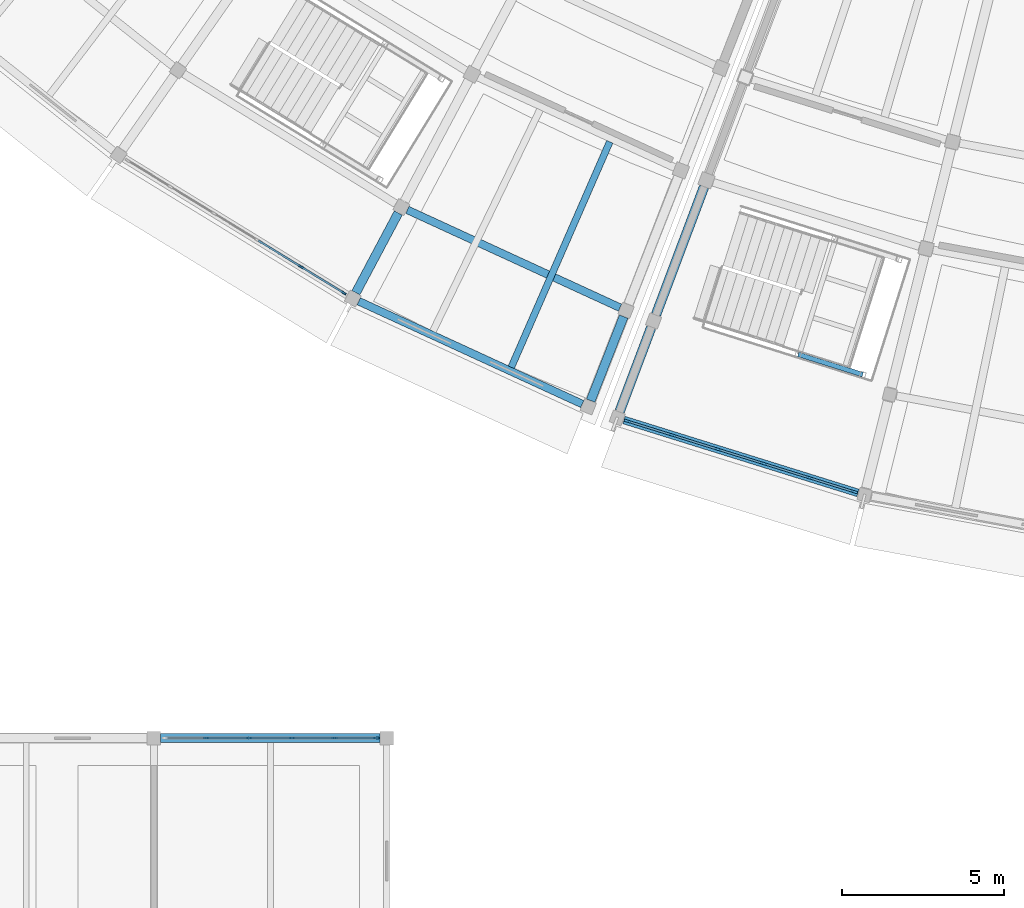
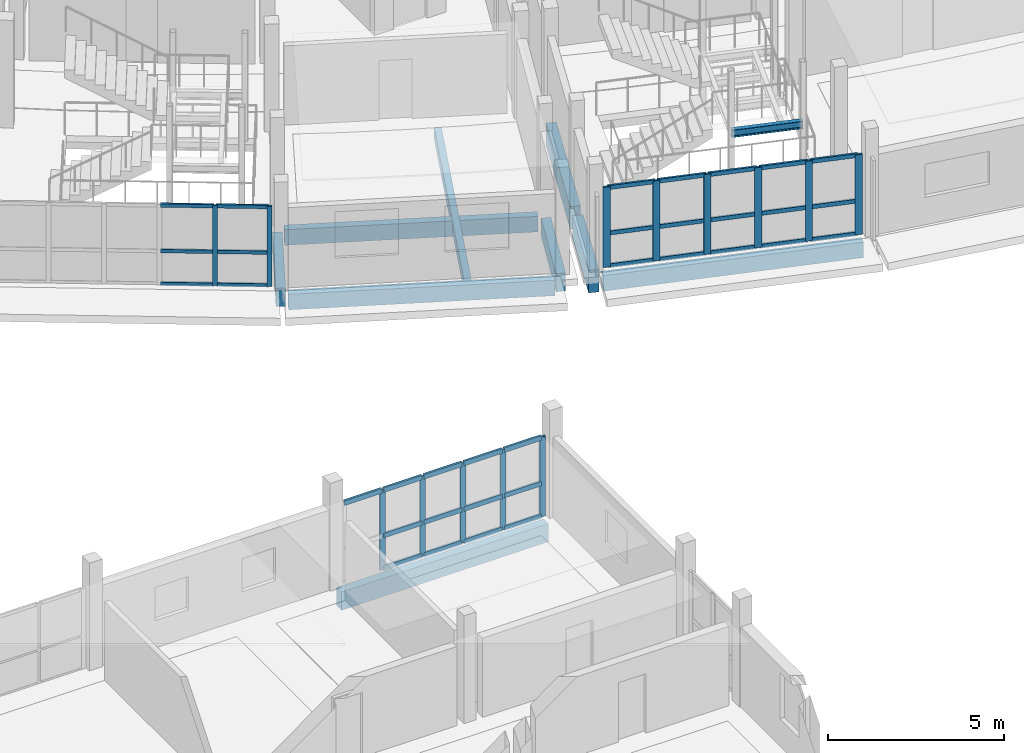
# One storey, part 17 of 77: 47 members, 10 beams, 3 elements without a shape of their own.
"""IFC4 building model written with IfcOpenShell, lengths in metres."""

from ifc_helpers import new_model, si_unit, direction, frame, origin, origin_2d, place, context, subcontext, project, spatial, rectangle, i_section, extrude, material, layer, layer_set, material_profile, profile_set, type_object, element, aggregate, save


model = new_model("IFC4")

# Units and contexts
model_context = context("Model", 3, precision=1e-05, world=origin(), true_north=direction((0.0, 1.0)))
body_context = subcontext(model_context, "Body", "Model", "MODEL_VIEW")
ifc_project = project(units=[si_unit("LENGTHUNIT", "METRE"), si_unit("AREAUNIT", "SQUARE_METRE"), si_unit("VOLUMEUNIT", "CUBIC_METRE"), si_unit("PLANEANGLEUNIT", "RADIAN"), si_unit("MASSUNIT", "GRAM", prefix="KILO")], contexts=[model_context])

# Site, building, storey
site_placement = place(None, origin())
site = spatial("IfcSite", under=ifc_project, at=site_placement, CompositionType="ELEMENT")
building_placement = place(site_placement, origin())
building = spatial("IfcBuilding", under=site, at=building_placement, Name="Caldaven Crescent School", CompositionType="ELEMENT")
storey_placement = place(building_placement, frame((0.0, 0.0, 4.419921875)))
storey = spatial("IfcBuildingStorey", under=building, at=storey_placement, Name="L01", CompositionType="ELEMENT", Elevation=4.419921875)

# Beams
ifc_material_1 = material(Name="Glulam MLE24h (GL28h)", Category="wood")
ifc_material_profile_1 = material_profile(ifc_material_1, rectangle(XDim=0.239990234375, YDim=0.5400390625, at=origin_2d()), Name="MLE 240x540")
ifc_profile_set_1 = profile_set([ifc_material_profile_1], Name="Glulam MLE24h (GL28h)")
beam_type_1 = type_object("IfcBeamType", Name="BM-GL54", PredefinedType="BEAM", material=ifc_profile_set_1)
beam_1_placement = place(storey_placement, frame((57.036865234375, 37.330810546875, -0.489990234375), z_axis=(0.908529395513, -0.417820939505, 0.0), x_axis=(0.417820939505, 0.908529395513, 0.0)))
element("IfcBeam", 1, at=beam_1_placement, inside=storey, type_object=beam_type_1, Name="BMT-V4W-L01-0992", PredefinedType="BEAM", context=body_context, shape_type="SweptSolid", body=[
    extrude(rectangle(XDim=0.239990234375, YDim=0.5400390625, at=origin_2d()), origin(), (0.0, 0.0, 1.0), 7.235107421875),
])
ifc_material_profile_2 = material_profile(ifc_material_1, rectangle(XDim=0.280029296875, YDim=0.6298828125, at=origin_2d()), Name="MLE 280x630")
ifc_profile_set_2 = profile_set([ifc_material_profile_2], Name="Glulam MLE24h (GL28h)")
beam_type_2 = type_object("IfcBeamType", Name="BM-GL63", PredefinedType="BEAM", material=ifc_profile_set_2)
beam_2_placement = place(storey_placement, frame((49.405029296875, 21.0, -0.534912109375), z_axis=(1.0, 0.0, 0.0), x_axis=(0.0, 1.0, 0.0)))
element("IfcBeam", 2, at=beam_2_placement, inside=storey, type_object=beam_type_2, Name="BMX-V4S-L01-0603", PredefinedType="BEAM", context=body_context, shape_type="SweptSolid", body=[
    extrude(rectangle(XDim=0.280029296875, YDim=0.6298828125, at=origin_2d()), origin(), (0.0, 0.0, 1.0), 6.7900390625),
])
for number, where, z_axis, x_axis, name in (
    (3, (56.75439453125, 37.2353515625, -0.534912109375), (-0.469475098942, -0.882945712642, 0.0), (0.882945712642, -0.469475098942, 0.0), "BMR-V4W-L01-0950"),
    (4, (63.7216796875, 34.03125, -0.534912109375), (-0.364818343018, -0.931078716649, 0.0), (0.931078716649, -0.364818343018, 0.0), "BMR-V4W-L01-0954"),
):
    element("IfcBeam", number, at=place(storey_placement, frame(where, z_axis=z_axis, x_axis=x_axis)), inside=storey, type_object=beam_type_2, Name=name, PredefinedType="BEAM", context=body_context, shape_type="SweptSolid", body=[
        extrude(rectangle(XDim=0.280029296875, YDim=0.6298828125, at=origin_2d()), origin(), (0.0, 0.0, 1.0), 2.7900390625),
    ])
ifc_material_profile_3 = material_profile(ifc_material_1, rectangle(XDim=0.300048828125, YDim=0.780029296875, at=origin_2d()), Name="MLE 300x780")
ifc_profile_set_3 = profile_set([ifc_material_profile_3], Name="Glulam MLE24h (GL28h)")
beam_type_3 = type_object("IfcBeamType", Name="BM-GL78", PredefinedType="BEAM", material=ifc_profile_set_3)
beam_3_placement = place(storey_placement, frame((66.20849609375, 38.041259765625, -0.60986328125), z_axis=(-0.351943115043, -0.93602139066, 0.0), x_axis=(0.93602139066, -0.351943115043, 0.0)))
element("IfcBeam", 5, at=beam_3_placement, inside=storey, type_object=beam_type_3, Name="BMR-V5-L01-0998", PredefinedType="BEAM", context=body_context, shape_type="SweptSolid", body=[
    extrude(rectangle(XDim=0.300048828125, YDim=0.780029296875, at=origin_2d()), origin(), (0.0, 0.0, 1.0), 4.2099609375),
])
beam_4_placement = place(storey_placement, frame((64.572021484375, 33.688720703125, -0.60986328125), z_axis=(-0.351956947483, -0.93601618956, 0.0), x_axis=(0.93601618956, -0.351956947483, 0.0)))
element("IfcBeam", 6, at=beam_4_placement, inside=storey, type_object=beam_type_3, Name="BMR-V5-L01-0999", PredefinedType="BEAM", context=body_context, shape_type="SweptSolid", body=[
    extrude(rectangle(XDim=0.300048828125, YDim=0.780029296875, at=origin_2d()), origin(), (0.0, 0.0, 1.0), 2.760009765625),
])
ifc_material_2 = material(Name="Steel ASTM A572 Grade 50", Category="steel")
ifc_material_profile_4 = material_profile(ifc_material_2, i_section(OverallWidth=0.14599609375, OverallDepth=0.258056640625, WebThickness=0.006103515625, FlangeThickness=0.009033203125, FilletRadius=0.011962890625, at=origin_2d()), Name="W250x33")
ifc_profile_set_4 = profile_set([ifc_material_profile_4], Name="Steel ASTM A572 Grade 50")
beam_type_4 = type_object("IfcBeamType", Name="BM-W25", PredefinedType="BEAM", material=ifc_profile_set_4)
beam_5_placement = place(storey_placement, frame((69.12109375, 32.864990234375, 1.546142578125), z_axis=(0.95369733951, -0.300767991334, 0.0), x_axis=(0.300767991334, 0.95369733951, 0.0)))
element("IfcBeam", 7, at=beam_5_placement, inside=storey, type_object=beam_type_4, Name="BM-STSIDE-ST2-L01-SL", PredefinedType="BEAM", context=body_context, shape_type="SweptSolid", body=[
    extrude(i_section(OverallWidth=0.14599609375, OverallDepth=0.258056640625, WebThickness=0.006103515625, FlangeThickness=0.009033203125, FilletRadius=0.011962890625, at=origin_2d()), origin(), (0.0, 0.0, 1.0), 2.090087890625),
])

# Curtain wall, members
ifc_material_3 = material(Name="Anodised aluminium AA 6063-T6 and low-E double glazing", Category="aluminium")
ifc_layer_1 = layer(ifc_material_3, 0.2099609375)
ifc_layer_set_1 = layer_set([ifc_layer_1], Name="Anodised aluminium AA 6063-T6 and low-E double glazing")
curtain_wall_type_1 = type_object("IfcCurtainWallType", Name="CW-SYS3", PredefinedType="NOTDEFINED", material=ifc_layer_set_1)
curtain_wall_1_placement = place(storey_placement, origin())
curtain_wall_1 = element("IfcCurtainWall", 8, at=curtain_wall_1_placement, inside=storey, type_object=curtain_wall_type_1, Name="CW-L01-120", PredefinedType="NOTDEFINED")
ifc_material_4 = material(Name="Anodised aluminium AA 6063-T6", Category="aluminium")
ifc_material_profile_5 = material_profile(ifc_material_4, rectangle(XDim=0.06005859375, YDim=0.14990234375, at=origin_2d()), Name="CWM 60x150")
ifc_profile_set_5 = profile_set([ifc_material_profile_5], Name="Anodised aluminium AA 6063-T6")
member_type_1 = type_object("IfcMemberType", Name="CWM-T1", PredefinedType="MULLION", material=ifc_profile_set_5)
member_1_placement = place(storey_placement, frame((53.74658203125, 35.572509765625, 0.0), z_axis=(0.0, 0.0, 1.0), x_axis=(0.522499361435, 0.852639676124, 0.0)))
member_1 = element("IfcMember", 9, at=member_1_placement, type_object=member_type_1, Name="CW3 mullion 5", PredefinedType="MULLION", context=body_context, shape_type="SweptSolid", body=[
    extrude(rectangle(XDim=0.06005859375, YDim=0.14990234375, at=origin_2d()), origin(), (0.0, 0.0, 1.0), 2.780029296875),
])
member_2_placement = place(storey_placement, frame((55.06689453125, 34.763427734375, 0.0), z_axis=(0.0, 0.0, 1.0), x_axis=(0.522499361435, 0.852639676124, 0.0)))
member_2 = element("IfcMember", 10, at=member_2_placement, type_object=member_type_1, Name="CW3 mullion 6", PredefinedType="MULLION", context=body_context, shape_type="SweptSolid", body=[
    extrude(rectangle(XDim=0.06005859375, YDim=0.14990234375, at=origin_2d()), origin(), (0.0, 0.0, 1.0), 2.780029296875),
])

ifc_layer_2 = layer(ifc_material_3, 0.169921875)
ifc_layer_set_2 = layer_set([ifc_layer_2], Name="Anodised aluminium AA 6063-T6 and low-E double glazing")
curtain_wall_type_2 = type_object("IfcCurtainWallType", Name="CW-SYS1", PredefinedType="NOTDEFINED", material=ifc_layer_set_2)
curtain_wall_2_placement = place(storey_placement, origin())
curtain_wall_2 = element("IfcCurtainWall", 11, at=curtain_wall_2_placement, inside=storey, type_object=curtain_wall_type_2, Name="CW-L01-096", PredefinedType="NOTDEFINED")
ifc_material_profile_6 = material_profile(ifc_material_4, rectangle(XDim=0.06494140625, YDim=0.179931640625, at=origin_2d()), Name="CWM 65x180")
ifc_profile_set_6 = profile_set([ifc_material_profile_6], Name="Anodised aluminium AA 6063-T6")
member_type_2 = type_object("IfcMemberType", Name="CWM-T2", PredefinedType="MULLION", material=ifc_profile_set_6)
member_3_placement = place(storey_placement, frame((50.820068359375, 21.0, 0.0), z_axis=(0.0, 0.0, 1.0), x_axis=(0.0, 1.0, 0.0)))
member_3 = element("IfcMember", 12, at=member_3_placement, type_object=member_type_2, Name="CW1 mullion 2", PredefinedType="MULLION", context=body_context, shape_type="SweptSolid", body=[
    extrude(rectangle(XDim=0.06494140625, YDim=0.179931640625, at=origin_2d()), origin(), (0.0, 0.0, 1.0), 2.780029296875),
])
member_4_placement = place(storey_placement, frame((52.139892578125, 21.0, 0.0), z_axis=(0.0, 0.0, 1.0), x_axis=(0.0, 1.0, 0.0)))
member_4 = element("IfcMember", 13, at=member_4_placement, type_object=member_type_2, Name="CW1 mullion 3", PredefinedType="MULLION", context=body_context, shape_type="SweptSolid", body=[
    extrude(rectangle(XDim=0.06494140625, YDim=0.179931640625, at=origin_2d()), origin(), (0.0, 0.0, 1.0), 2.780029296875),
])
member_5_placement = place(storey_placement, frame((53.4599609375, 21.0, 0.0), z_axis=(0.0, 0.0, 1.0), x_axis=(0.0, 1.0, 0.0)))
member_5 = element("IfcMember", 14, at=member_5_placement, type_object=member_type_2, Name="CW1 mullion 4", PredefinedType="MULLION", context=body_context, shape_type="SweptSolid", body=[
    extrude(rectangle(XDim=0.06494140625, YDim=0.179931640625, at=origin_2d()), origin(), (0.0, 0.0, 1.0), 2.780029296875),
])
member_6_placement = place(storey_placement, frame((54.780029296875, 21.0, 0.0), z_axis=(0.0, 0.0, 1.0), x_axis=(0.0, 1.0, 0.0)))
member_6 = element("IfcMember", 15, at=member_6_placement, type_object=member_type_2, Name="CW1 mullion 5", PredefinedType="MULLION", context=body_context, shape_type="SweptSolid", body=[
    extrude(rectangle(XDim=0.06494140625, YDim=0.179931640625, at=origin_2d()), origin(), (0.0, 0.0, 1.0), 2.780029296875),
])
member_7_placement = place(storey_placement, frame((56.0673828125, 21.0, 0.0), z_axis=(0.0, 0.0, 1.0), x_axis=(0.0, 1.0, 0.0)))
member_7 = element("IfcMember", 16, at=member_7_placement, type_object=member_type_2, Name="CW1 mullion 6", PredefinedType="MULLION", context=body_context, shape_type="SweptSolid", body=[
    extrude(rectangle(XDim=0.06494140625, YDim=0.179931640625, at=origin_2d()), origin(), (0.0, 0.0, 1.0), 2.780029296875),
])

curtain_wall_3_placement = place(storey_placement, origin())
curtain_wall_3 = element("IfcCurtainWall", 17, at=curtain_wall_3_placement, inside=storey, type_object=curtain_wall_type_2, Name="CW-L01-122", PredefinedType="NOTDEFINED")
ifc_material_profile_7 = material_profile(ifc_material_4, rectangle(XDim=0.070068359375, YDim=0.2099609375, at=origin_2d()), Name="CWM 70x210")
ifc_profile_set_7 = profile_set([ifc_material_profile_7], Name="Anodised aluminium AA 6063-T6")
member_type_3 = type_object("IfcMemberType", Name="CWM-T3", PredefinedType="MULLION", material=ifc_profile_set_7)
member_8_placement = place(storey_placement, frame((63.843017578125, 30.7998046875, 0.0), z_axis=(0.0, 0.0, 1.0), x_axis=(0.297420222689, 0.954746673802, 0.0)))
member_8 = element("IfcMember", 18, at=member_8_placement, type_object=member_type_3, Name="CW1 mullion 1", PredefinedType="MULLION", context=body_context, shape_type="SweptSolid", body=[
    extrude(rectangle(XDim=0.070068359375, YDim=0.2099609375, at=origin_2d()), origin(), (0.0, 0.0, 1.0), 2.780029296875),
])
member_9_placement = place(storey_placement, frame((65.225341796875, 30.369140625, 0.0), z_axis=(0.0, 0.0, 1.0), x_axis=(0.297420222689, 0.954746673802, 0.0)))
member_9 = element("IfcMember", 19, at=member_9_placement, type_object=member_type_3, Name="CW1 mullion 2", PredefinedType="MULLION", context=body_context, shape_type="SweptSolid", body=[
    extrude(rectangle(XDim=0.070068359375, YDim=0.2099609375, at=origin_2d()), origin(), (0.0, 0.0, 1.0), 2.780029296875),
])
member_10_placement = place(storey_placement, frame((66.640869140625, 29.92822265625, 0.0), z_axis=(0.0, 0.0, 1.0), x_axis=(0.297420222689, 0.954746673802, 0.0)))
member_10 = element("IfcMember", 20, at=member_10_placement, type_object=member_type_3, Name="CW1 mullion 3", PredefinedType="MULLION", context=body_context, shape_type="SweptSolid", body=[
    extrude(rectangle(XDim=0.070068359375, YDim=0.2099609375, at=origin_2d()), origin(), (0.0, 0.0, 1.0), 2.780029296875),
])
member_11_placement = place(storey_placement, frame((68.056640625, 29.487060546875, 0.0), z_axis=(0.0, 0.0, 1.0), x_axis=(0.297420222689, 0.954746673802, 0.0)))
member_11 = element("IfcMember", 21, at=member_11_placement, type_object=member_type_3, Name="CW1 mullion 4", PredefinedType="MULLION", context=body_context, shape_type="SweptSolid", body=[
    extrude(rectangle(XDim=0.070068359375, YDim=0.2099609375, at=origin_2d()), origin(), (0.0, 0.0, 1.0), 2.780029296875),
])
member_12_placement = place(storey_placement, frame((69.47216796875, 29.046142578125, 0.0), z_axis=(0.0, 0.0, 1.0), x_axis=(0.297420222689, 0.954746673802, 0.0)))
member_12 = element("IfcMember", 22, at=member_12_placement, type_object=member_type_3, Name="CW1 mullion 5", PredefinedType="MULLION", context=body_context, shape_type="SweptSolid", body=[
    extrude(rectangle(XDim=0.070068359375, YDim=0.2099609375, at=origin_2d()), origin(), (0.0, 0.0, 1.0), 2.780029296875),
])
member_13_placement = place(storey_placement, frame((70.8544921875, 28.615478515625, 0.0), z_axis=(0.0, 0.0, 1.0), x_axis=(0.297420222689, 0.954746673802, 0.0)))
member_13 = element("IfcMember", 23, at=member_13_placement, type_object=member_type_3, Name="CW1 mullion 6", PredefinedType="MULLION", context=body_context, shape_type="SweptSolid", body=[
    extrude(rectangle(XDim=0.070068359375, YDim=0.2099609375, at=origin_2d()), origin(), (0.0, 0.0, 1.0), 2.780029296875),
])

# Member
ifc_material_profile_8 = material_profile(ifc_material_4, rectangle(XDim=0.06005859375, YDim=0.1201171875, at=origin_2d()), Name="CWT 60x120")
ifc_profile_set_8 = profile_set([ifc_material_profile_8], Name="Anodised aluminium AA 6063-T6")
member_type_4 = type_object("IfcMemberType", Name="CWT-T1", PredefinedType="USERDEFINED", material=ifc_profile_set_8)
member_14_placement = place(storey_placement, frame((52.426513671875, 36.38134765625, 0.030029296875), z_axis=(0.852689056605, -0.522418771433, 0.0), x_axis=(0.522418771433, 0.852689056605, 0.0)))
member_14 = element("IfcMember", 24, at=member_14_placement, type_object=member_type_4, Name="CW3 transom 4.1", ObjectType="TRANSOM", PredefinedType="USERDEFINED", context=body_context, shape_type="SweptSolid", body=[
    extrude(rectangle(XDim=0.06005859375, YDim=0.1201171875, at=origin_2d()), origin(), (0.0, 0.0, 1.0), 1.518310546875),
])

member_15_placement = place(storey_placement, frame((52.426513671875, 36.38134765625, 1.16796875), z_axis=(0.852689056605, -0.522418771433, 0.0), x_axis=(0.522418771433, 0.852689056605, 0.0)))
member_15 = element("IfcMember", 25, at=member_15_placement, type_object=member_type_4, Name="CW3 transom 4.2", ObjectType="TRANSOM", PredefinedType="USERDEFINED", context=body_context, shape_type="SweptSolid", body=[
    extrude(rectangle(XDim=0.06005859375, YDim=0.1201171875, at=origin_2d()), origin(), (0.0, 0.0, 1.0), 1.518310546875),
])

member_16_placement = place(storey_placement, frame((52.426513671875, 36.38134765625, 2.75), z_axis=(0.852689056605, -0.522418771433, 0.0), x_axis=(0.522418771433, 0.852689056605, 0.0)))
member_16 = element("IfcMember", 26, at=member_16_placement, type_object=member_type_4, Name="CW3 transom 4.3", ObjectType="TRANSOM", PredefinedType="USERDEFINED", context=body_context, shape_type="SweptSolid", body=[
    extrude(rectangle(XDim=0.06005859375, YDim=0.1201171875, at=origin_2d()), origin(), (0.0, 0.0, 1.0), 1.518310546875),
])

member_17_placement = place(storey_placement, frame((53.772216796875, 35.556884765625, 0.030029296875), z_axis=(0.852591822808, -0.52257744276, 0.0), x_axis=(0.52257744276, 0.852591822808, 0.0)))
member_17 = element("IfcMember", 27, at=member_17_placement, type_object=member_type_4, Name="CW3 transom 5.1", ObjectType="TRANSOM", PredefinedType="USERDEFINED", context=body_context, shape_type="SweptSolid", body=[
    extrude(rectangle(XDim=0.06005859375, YDim=0.1201171875, at=origin_2d()), origin(), (0.0, 0.0, 1.0), 1.488525390625),
])

member_18_placement = place(storey_placement, frame((53.772216796875, 35.556884765625, 1.16796875), z_axis=(0.852591822808, -0.52257744276, 0.0), x_axis=(0.52257744276, 0.852591822808, 0.0)))
member_18 = element("IfcMember", 28, at=member_18_placement, type_object=member_type_4, Name="CW3 transom 5.2", ObjectType="TRANSOM", PredefinedType="USERDEFINED", context=body_context, shape_type="SweptSolid", body=[
    extrude(rectangle(XDim=0.06005859375, YDim=0.1201171875, at=origin_2d()), origin(), (0.0, 0.0, 1.0), 1.488525390625),
])

member_19_placement = place(storey_placement, frame((53.772216796875, 35.556884765625, 2.75), z_axis=(0.852591822808, -0.52257744276, 0.0), x_axis=(0.52257744276, 0.852591822808, 0.0)))
member_19 = element("IfcMember", 29, at=member_19_placement, type_object=member_type_4, Name="CW3 transom 5.3", ObjectType="TRANSOM", PredefinedType="USERDEFINED", context=body_context, shape_type="SweptSolid", body=[
    extrude(rectangle(XDim=0.06005859375, YDim=0.1201171875, at=origin_2d()), origin(), (0.0, 0.0, 1.0), 1.488525390625),
])

aggregate(curtain_wall_1, [member_1, member_2, member_14, member_15, member_16, member_17, member_18, member_19])

ifc_material_profile_9 = material_profile(ifc_material_4, rectangle(XDim=0.06494140625, YDim=0.139892578125, at=origin_2d()), Name="CWT 65x140")
ifc_profile_set_9 = profile_set([ifc_material_profile_9], Name="Anodised aluminium AA 6063-T6")
member_type_5 = type_object("IfcMemberType", Name="CWT-T2", PredefinedType="USERDEFINED", material=ifc_profile_set_9)
member_20_placement = place(storey_placement, frame((63.87646484375, 30.789306640625, 0.032470703125), z_axis=(0.954769609805, -0.297346585979, 0.0), x_axis=(0.297346585979, 0.954769609805, 0.0)))
member_20 = element("IfcMember", 30, at=member_20_placement, type_object=member_type_5, Name="CW1 transom 1.1", ObjectType="TRANSOM", PredefinedType="USERDEFINED", context=body_context, shape_type="SweptSolid", body=[
    extrude(rectangle(XDim=0.06494140625, YDim=0.139892578125, at=origin_2d()), origin(), (0.0, 0.0, 1.0), 1.377685546875),
])

member_21_placement = place(storey_placement, frame((63.87646484375, 30.789306640625, 1.16796875), z_axis=(0.954769609805, -0.297346585979, 0.0), x_axis=(0.297346585979, 0.954769609805, 0.0)))
member_21 = element("IfcMember", 31, at=member_21_placement, type_object=member_type_5, Name="CW1 transom 1.2", ObjectType="TRANSOM", PredefinedType="USERDEFINED", context=body_context, shape_type="SweptSolid", body=[
    extrude(rectangle(XDim=0.06494140625, YDim=0.139892578125, at=origin_2d()), origin(), (0.0, 0.0, 1.0), 1.377685546875),
])

member_22_placement = place(storey_placement, frame((63.87646484375, 30.789306640625, 2.74755859375), z_axis=(0.954769609805, -0.297346585979, 0.0), x_axis=(0.297346585979, 0.954769609805, 0.0)))
member_22 = element("IfcMember", 32, at=member_22_placement, type_object=member_type_5, Name="CW1 transom 1.3", ObjectType="TRANSOM", PredefinedType="USERDEFINED", context=body_context, shape_type="SweptSolid", body=[
    extrude(rectangle(XDim=0.06494140625, YDim=0.139892578125, at=origin_2d()), origin(), (0.0, 0.0, 1.0), 1.377685546875),
])

member_23_placement = place(storey_placement, frame((65.2587890625, 30.35888671875, 0.032470703125), z_axis=(0.954688856348, -0.297605758623, 0.0), x_axis=(0.297605758623, 0.954688856348, 0.0)))
member_23 = element("IfcMember", 33, at=member_23_placement, type_object=member_type_5, Name="CW1 transom 2.1", ObjectType="TRANSOM", PredefinedType="USERDEFINED", context=body_context, shape_type="SweptSolid", body=[
    extrude(rectangle(XDim=0.06494140625, YDim=0.139892578125, at=origin_2d()), origin(), (0.0, 0.0, 1.0), 1.41259765625),
])

member_24_placement = place(storey_placement, frame((65.2587890625, 30.35888671875, 1.16796875), z_axis=(0.954688856348, -0.297605758623, 0.0), x_axis=(0.297605758623, 0.954688856348, 0.0)))
member_24 = element("IfcMember", 34, at=member_24_placement, type_object=member_type_5, Name="CW1 transom 2.2", ObjectType="TRANSOM", PredefinedType="USERDEFINED", context=body_context, shape_type="SweptSolid", body=[
    extrude(rectangle(XDim=0.06494140625, YDim=0.139892578125, at=origin_2d()), origin(), (0.0, 0.0, 1.0), 1.41259765625),
])

member_25_placement = place(storey_placement, frame((65.2587890625, 30.35888671875, 2.74755859375), z_axis=(0.954688856348, -0.297605758623, 0.0), x_axis=(0.297605758623, 0.954688856348, 0.0)))
member_25 = element("IfcMember", 35, at=member_25_placement, type_object=member_type_5, Name="CW1 transom 2.3", ObjectType="TRANSOM", PredefinedType="USERDEFINED", context=body_context, shape_type="SweptSolid", body=[
    extrude(rectangle(XDim=0.06494140625, YDim=0.139892578125, at=origin_2d()), origin(), (0.0, 0.0, 1.0), 1.41259765625),
])

member_26_placement = place(storey_placement, frame((66.67431640625, 29.917724609375, 0.032470703125), z_axis=(0.954753237083, -0.297399153126, 0.0), x_axis=(0.297399153126, 0.954753237083, 0.0)))
member_26 = element("IfcMember", 36, at=member_26_placement, type_object=member_type_5, Name="CW1 transom 3.1", ObjectType="TRANSOM", PredefinedType="USERDEFINED", context=body_context, shape_type="SweptSolid", body=[
    extrude(rectangle(XDim=0.06494140625, YDim=0.139892578125, at=origin_2d()), origin(), (0.0, 0.0, 1.0), 1.412841796875),
])

member_27_placement = place(storey_placement, frame((66.67431640625, 29.917724609375, 1.16796875), z_axis=(0.954753237083, -0.297399153126, 0.0), x_axis=(0.297399153126, 0.954753237083, 0.0)))
member_27 = element("IfcMember", 37, at=member_27_placement, type_object=member_type_5, Name="CW1 transom 3.2", ObjectType="TRANSOM", PredefinedType="USERDEFINED", context=body_context, shape_type="SweptSolid", body=[
    extrude(rectangle(XDim=0.06494140625, YDim=0.139892578125, at=origin_2d()), origin(), (0.0, 0.0, 1.0), 1.412841796875),
])

member_28_placement = place(storey_placement, frame((66.67431640625, 29.917724609375, 2.74755859375), z_axis=(0.954753237083, -0.297399153126, 0.0), x_axis=(0.297399153126, 0.954753237083, 0.0)))
member_28 = element("IfcMember", 38, at=member_28_placement, type_object=member_type_5, Name="CW1 transom 3.3", ObjectType="TRANSOM", PredefinedType="USERDEFINED", context=body_context, shape_type="SweptSolid", body=[
    extrude(rectangle(XDim=0.06494140625, YDim=0.139892578125, at=origin_2d()), origin(), (0.0, 0.0, 1.0), 1.412841796875),
])

member_29_placement = place(storey_placement, frame((68.090087890625, 29.476806640625, 0.032470703125), z_axis=(0.954737949254, -0.297448227854, 0.0), x_axis=(0.297448227854, 0.954737949254, 0.0)))
member_29 = element("IfcMember", 39, at=member_29_placement, type_object=member_type_5, Name="CW1 transom 4.1", ObjectType="TRANSOM", PredefinedType="USERDEFINED", context=body_context, shape_type="SweptSolid", body=[
    extrude(rectangle(XDim=0.06494140625, YDim=0.139892578125, at=origin_2d()), origin(), (0.0, 0.0, 1.0), 1.41259765625),
])

member_30_placement = place(storey_placement, frame((68.090087890625, 29.476806640625, 1.16796875), z_axis=(0.954737949254, -0.297448227854, 0.0), x_axis=(0.297448227854, 0.954737949254, 0.0)))
member_30 = element("IfcMember", 40, at=member_30_placement, type_object=member_type_5, Name="CW1 transom 4.2", ObjectType="TRANSOM", PredefinedType="USERDEFINED", context=body_context, shape_type="SweptSolid", body=[
    extrude(rectangle(XDim=0.06494140625, YDim=0.139892578125, at=origin_2d()), origin(), (0.0, 0.0, 1.0), 1.41259765625),
])

member_31_placement = place(storey_placement, frame((68.090087890625, 29.476806640625, 2.74755859375), z_axis=(0.954737949254, -0.297448227854, 0.0), x_axis=(0.297448227854, 0.954737949254, 0.0)))
member_31 = element("IfcMember", 41, at=member_31_placement, type_object=member_type_5, Name="CW1 transom 4.3", ObjectType="TRANSOM", PredefinedType="USERDEFINED", context=body_context, shape_type="SweptSolid", body=[
    extrude(rectangle(XDim=0.06494140625, YDim=0.139892578125, at=origin_2d()), origin(), (0.0, 0.0, 1.0), 1.41259765625),
])

member_32_placement = place(storey_placement, frame((69.505615234375, 29.03564453125, 0.032470703125), z_axis=(0.954769609805, -0.297346585979, 0.0), x_axis=(0.297346585979, 0.954769609805, 0.0)))
member_32 = element("IfcMember", 42, at=member_32_placement, type_object=member_type_5, Name="CW1 transom 5.1", ObjectType="TRANSOM", PredefinedType="USERDEFINED", context=body_context, shape_type="SweptSolid", body=[
    extrude(rectangle(XDim=0.06494140625, YDim=0.139892578125, at=origin_2d()), origin(), (0.0, 0.0, 1.0), 1.377685546875),
])

member_33_placement = place(storey_placement, frame((69.505615234375, 29.03564453125, 1.16796875), z_axis=(0.954769609805, -0.297346585979, 0.0), x_axis=(0.297346585979, 0.954769609805, 0.0)))
member_33 = element("IfcMember", 43, at=member_33_placement, type_object=member_type_5, Name="CW1 transom 5.2", ObjectType="TRANSOM", PredefinedType="USERDEFINED", context=body_context, shape_type="SweptSolid", body=[
    extrude(rectangle(XDim=0.06494140625, YDim=0.139892578125, at=origin_2d()), origin(), (0.0, 0.0, 1.0), 1.377685546875),
])

member_34_placement = place(storey_placement, frame((69.505615234375, 29.03564453125, 2.74755859375), z_axis=(0.954769609805, -0.297346585979, 0.0), x_axis=(0.297346585979, 0.954769609805, 0.0)))
member_34 = element("IfcMember", 44, at=member_34_placement, type_object=member_type_5, Name="CW1 transom 5.3", ObjectType="TRANSOM", PredefinedType="USERDEFINED", context=body_context, shape_type="SweptSolid", body=[
    extrude(rectangle(XDim=0.06494140625, YDim=0.139892578125, at=origin_2d()), origin(), (0.0, 0.0, 1.0), 1.377685546875),
])

aggregate(curtain_wall_3, [member_8, member_9, member_10, member_11, member_12, member_13, member_20, member_21, member_22, member_23, member_24, member_25, member_26, member_27, member_28, member_29, member_30, member_31, member_32, member_33, member_34])

ifc_material_profile_10 = material_profile(ifc_material_4, rectangle(XDim=0.070068359375, YDim=0.159912109375, at=origin_2d()), Name="CWT 70x160")
ifc_profile_set_10 = profile_set([ifc_material_profile_10], Name="Anodised aluminium AA 6063-T6")
member_type_6 = type_object("IfcMemberType", Name="CWT-T3", PredefinedType="USERDEFINED", material=ifc_profile_set_10)
member_35_placement = place(storey_placement, frame((49.56494140625, 21.0, 2.7451171875), z_axis=(1.0, 0.0, 0.0), x_axis=(0.0, 1.0, 0.0)))
member_35 = element("IfcMember", 45, at=member_35_placement, type_object=member_type_6, Name="CW1 transom 1.3", ObjectType="TRANSOM", PredefinedType="USERDEFINED", context=body_context, shape_type="SweptSolid", body=[
    extrude(rectangle(XDim=0.070068359375, YDim=0.159912109375, at=origin_2d()), origin(), (0.0, 0.0, 1.0), 1.22265625),
])

member_36_placement = place(storey_placement, frame((50.8525390625, 21.0, 0.03515625), z_axis=(1.0, 0.0, 0.0), x_axis=(0.0, 1.0, 0.0)))
member_36 = element("IfcMember", 46, at=member_36_placement, type_object=member_type_6, Name="CW1 transom 2.1", ObjectType="TRANSOM", PredefinedType="USERDEFINED", context=body_context, shape_type="SweptSolid", body=[
    extrude(rectangle(XDim=0.070068359375, YDim=0.159912109375, at=origin_2d()), origin(), (0.0, 0.0, 1.0), 1.2548828125),
])

member_37_placement = place(storey_placement, frame((50.8525390625, 21.0, 1.16796875), z_axis=(1.0, 0.0, 0.0), x_axis=(0.0, 1.0, 0.0)))
member_37 = element("IfcMember", 47, at=member_37_placement, type_object=member_type_6, Name="CW1 transom 2.2", ObjectType="TRANSOM", PredefinedType="USERDEFINED", context=body_context, shape_type="SweptSolid", body=[
    extrude(rectangle(XDim=0.070068359375, YDim=0.159912109375, at=origin_2d()), origin(), (0.0, 0.0, 1.0), 1.2548828125),
])

member_38_placement = place(storey_placement, frame((50.8525390625, 21.0, 2.7451171875), z_axis=(1.0, 0.0, 0.0), x_axis=(0.0, 1.0, 0.0)))
member_38 = element("IfcMember", 48, at=member_38_placement, type_object=member_type_6, Name="CW1 transom 2.3", ObjectType="TRANSOM", PredefinedType="USERDEFINED", context=body_context, shape_type="SweptSolid", body=[
    extrude(rectangle(XDim=0.070068359375, YDim=0.159912109375, at=origin_2d()), origin(), (0.0, 0.0, 1.0), 1.2548828125),
])

member_39_placement = place(storey_placement, frame((52.172607421875, 21.0, 0.03515625), z_axis=(1.0, 0.0, 0.0), x_axis=(0.0, 1.0, 0.0)))
member_39 = element("IfcMember", 49, at=member_39_placement, type_object=member_type_6, Name="CW1 transom 3.1", ObjectType="TRANSOM", PredefinedType="USERDEFINED", context=body_context, shape_type="SweptSolid", body=[
    extrude(rectangle(XDim=0.070068359375, YDim=0.159912109375, at=origin_2d()), origin(), (0.0, 0.0, 1.0), 1.2548828125),
])

member_40_placement = place(storey_placement, frame((52.172607421875, 21.0, 1.16796875), z_axis=(1.0, 0.0, 0.0), x_axis=(0.0, 1.0, 0.0)))
member_40 = element("IfcMember", 50, at=member_40_placement, type_object=member_type_6, Name="CW1 transom 3.2", ObjectType="TRANSOM", PredefinedType="USERDEFINED", context=body_context, shape_type="SweptSolid", body=[
    extrude(rectangle(XDim=0.070068359375, YDim=0.159912109375, at=origin_2d()), origin(), (0.0, 0.0, 1.0), 1.2548828125),
])

member_41_placement = place(storey_placement, frame((52.172607421875, 21.0, 2.7451171875), z_axis=(1.0, 0.0, 0.0), x_axis=(0.0, 1.0, 0.0)))
member_41 = element("IfcMember", 51, at=member_41_placement, type_object=member_type_6, Name="CW1 transom 3.3", ObjectType="TRANSOM", PredefinedType="USERDEFINED", context=body_context, shape_type="SweptSolid", body=[
    extrude(rectangle(XDim=0.070068359375, YDim=0.159912109375, at=origin_2d()), origin(), (0.0, 0.0, 1.0), 1.2548828125),
])

member_42_placement = place(storey_placement, frame((53.492431640625, 21.0, 0.03515625), z_axis=(1.0, 0.0, 0.0), x_axis=(0.0, 1.0, 0.0)))
member_42 = element("IfcMember", 52, at=member_42_placement, type_object=member_type_6, Name="CW1 transom 4.1", ObjectType="TRANSOM", PredefinedType="USERDEFINED", context=body_context, shape_type="SweptSolid", body=[
    extrude(rectangle(XDim=0.070068359375, YDim=0.159912109375, at=origin_2d()), origin(), (0.0, 0.0, 1.0), 1.255126953125),
])

member_43_placement = place(storey_placement, frame((53.492431640625, 21.0, 1.16796875), z_axis=(1.0, 0.0, 0.0), x_axis=(0.0, 1.0, 0.0)))
member_43 = element("IfcMember", 53, at=member_43_placement, type_object=member_type_6, Name="CW1 transom 4.2", ObjectType="TRANSOM", PredefinedType="USERDEFINED", context=body_context, shape_type="SweptSolid", body=[
    extrude(rectangle(XDim=0.070068359375, YDim=0.159912109375, at=origin_2d()), origin(), (0.0, 0.0, 1.0), 1.255126953125),
])

member_44_placement = place(storey_placement, frame((53.492431640625, 21.0, 2.7451171875), z_axis=(1.0, 0.0, 0.0), x_axis=(0.0, 1.0, 0.0)))
member_44 = element("IfcMember", 54, at=member_44_placement, type_object=member_type_6, Name="CW1 transom 4.3", ObjectType="TRANSOM", PredefinedType="USERDEFINED", context=body_context, shape_type="SweptSolid", body=[
    extrude(rectangle(XDim=0.070068359375, YDim=0.159912109375, at=origin_2d()), origin(), (0.0, 0.0, 1.0), 1.255126953125),
])

member_45_placement = place(storey_placement, frame((54.8125, 21.0, 0.03515625), z_axis=(1.0, 0.0, 0.0), x_axis=(0.0, 1.0, 0.0)))
member_45 = element("IfcMember", 55, at=member_45_placement, type_object=member_type_6, Name="CW1 transom 5.1", ObjectType="TRANSOM", PredefinedType="USERDEFINED", context=body_context, shape_type="SweptSolid", body=[
    extrude(rectangle(XDim=0.070068359375, YDim=0.159912109375, at=origin_2d()), origin(), (0.0, 0.0, 1.0), 1.222412109375),
])

member_46_placement = place(storey_placement, frame((54.8125, 21.0, 1.16796875), z_axis=(1.0, 0.0, 0.0), x_axis=(0.0, 1.0, 0.0)))
member_46 = element("IfcMember", 56, at=member_46_placement, type_object=member_type_6, Name="CW1 transom 5.2", ObjectType="TRANSOM", PredefinedType="USERDEFINED", context=body_context, shape_type="SweptSolid", body=[
    extrude(rectangle(XDim=0.070068359375, YDim=0.159912109375, at=origin_2d()), origin(), (0.0, 0.0, 1.0), 1.222412109375),
])

member_47_placement = place(storey_placement, frame((54.8125, 21.0, 2.7451171875), z_axis=(1.0, 0.0, 0.0), x_axis=(0.0, 1.0, 0.0)))
member_47 = element("IfcMember", 57, at=member_47_placement, type_object=member_type_6, Name="CW1 transom 5.3", ObjectType="TRANSOM", PredefinedType="USERDEFINED", context=body_context, shape_type="SweptSolid", body=[
    extrude(rectangle(XDim=0.070068359375, YDim=0.159912109375, at=origin_2d()), origin(), (0.0, 0.0, 1.0), 1.222412109375),
])

aggregate(curtain_wall_2, [member_3, member_4, member_5, member_6, member_7, member_35, member_36, member_37, member_38, member_39, member_40, member_41, member_42, member_43, member_44, member_45, member_46, member_47])

# Beams
ifc_material_profile_11 = material_profile(ifc_material_1, rectangle(XDim=0.2099609375, YDim=0.419921875, at=origin_2d()), Name="MLE 210x420")
ifc_profile_set_11 = profile_set([ifc_material_profile_11], Name="Glulam MLE24h (GL28h)")
beam_type_5 = type_object("IfcBeamType", Name="JS-GL42", PredefinedType="JOIST", material=ifc_profile_set_11)
beam_6_placement = place(storey_placement, frame((63.293701171875, 39.4365234375, -0.429931640625), z_axis=(-0.400291901065, -0.916387687576, 0.0), x_axis=(0.916387687576, -0.400291901065, 0.0)))
element("IfcBeam", 58, at=beam_6_placement, inside=storey, type_object=beam_type_5, Name="JSR-V4W-L01-0995", PredefinedType="JOIST", context=body_context, shape_type="SweptSolid", body=[
    extrude(rectangle(XDim=0.2099609375, YDim=0.419921875, at=origin_2d()), origin(), (0.0, 0.0, 1.0), 7.608642578125),
])
ifc_material_profile_12 = material_profile(ifc_material_1, rectangle(XDim=0.239990234375, YDim=0.5400390625, at=origin_2d()), Name="MLE 240x540")
ifc_profile_set_12 = profile_set([ifc_material_profile_12], Name="Glulam MLE24h (GL28h)")
beam_type_6 = type_object("IfcBeamType", Name="SP-GL54", PredefinedType="SPANDREL", material=ifc_profile_set_12)
beam_7_placement = place(storey_placement, frame((55.534423828125, 34.50537109375, -0.489990234375), z_axis=(0.908534575, -0.417809676802, 0.0), x_axis=(0.417809676802, 0.908534575, 0.0)))
element("IfcBeam", 59, at=beam_7_placement, inside=storey, type_object=beam_type_6, Name="BMT-V4W-L01-0993", PredefinedType="SPANDREL", context=body_context, shape_type="SweptSolid", body=[
    extrude(rectangle(XDim=0.239990234375, YDim=0.5400390625, at=origin_2d()), origin(), (0.0, 0.0, 1.0), 7.60400390625),
])
beam_8_placement = place(storey_placement, frame((63.733154296875, 30.833984375, -0.489990234375), z_axis=(0.954745159186, -0.297425084703, 0.0), x_axis=(0.297425084703, 0.954745159186, 0.0)))
element("IfcBeam", 60, at=beam_8_placement, inside=storey, type_object=beam_type_6, Name="BMT-V5-L01-1027", PredefinedType="SPANDREL", context=body_context, shape_type="SweptSolid", body=[
    extrude(rectangle(XDim=0.239990234375, YDim=0.5400390625, at=origin_2d()), origin(), (0.0, 0.0, 1.0), 7.573974609375),
])

save(model, "model.ifc")
